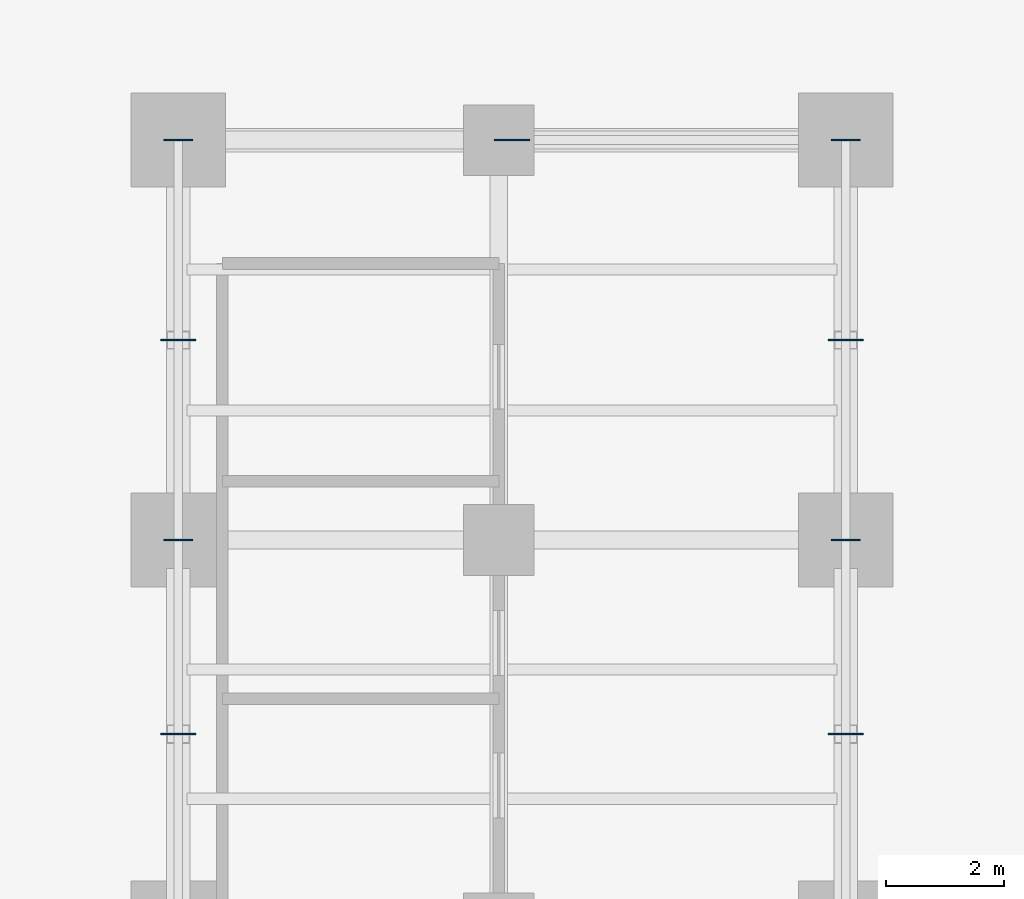
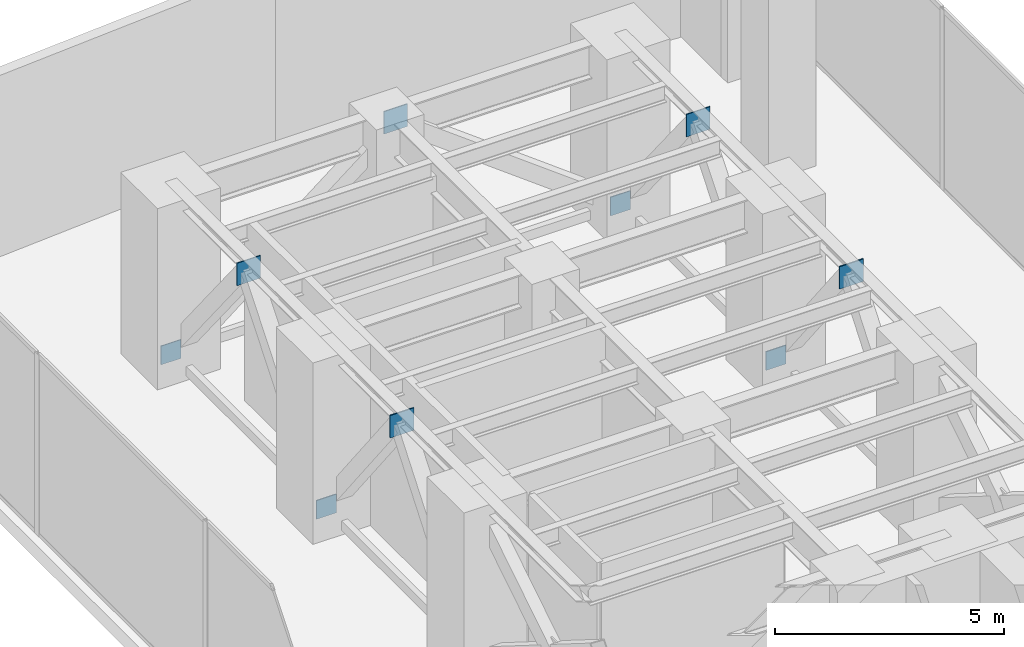
# One storey, part 31 of 36: 9 plates.
"""IFC4 building model written with IfcOpenShell, lengths in metres."""

from ifc_helpers import new_model, si_unit, direction, frame, origin, origin_with_axes, origin_2d, place, context, subcontext, project, spatial, rectangle, extrude, source, transform, mapped, material, layer, layer_set, type_object, element, save


model = new_model("IFC4")

# Units and contexts
model_context = context("Model", 3, precision=1e-05, world=origin(), true_north=direction((0.0, 1.0)))
body_context = subcontext(model_context, "Body", "Model", "MODEL_VIEW")
ifc_project = project(units=[si_unit("LENGTHUNIT", "METRE"), si_unit("AREAUNIT", "SQUARE_METRE"), si_unit("VOLUMEUNIT", "CUBIC_METRE"), si_unit("PLANEANGLEUNIT", "RADIAN"), si_unit("MASSUNIT", "GRAM", prefix="KILO")], contexts=[model_context])

# Site, building, storey
site_placement = place(None, origin())
site = spatial("IfcSite", under=ifc_project, at=site_placement, CompositionType="ELEMENT")
building_placement = place(site_placement, origin())
building = spatial("IfcBuilding", under=site, at=building_placement, Name="Kolvaren Waterfront Exchange", CompositionType="ELEMENT")
storey_placement = place(building_placement, frame((0.0, 0.0, 82.800048828125)))
storey = spatial("IfcBuildingStorey", under=building, at=storey_placement, Name="L21", CompositionType="ELEMENT", Elevation=82.800048828125)

# Plates
ifc_material_1 = material(Name="Steel S460", Category="steel")
ifc_layer_1 = layer(ifc_material_1, 0.030029296875, Name="Steel S460")
ifc_layer_set_1 = layer_set([ifc_layer_1], Name="Steel S460")
plate_type_1 = type_object("IfcPlateType", Name="STR-PL-BN1", PredefinedType="SHEET", material=ifc_layer_set_1)
shared_shape_1 = source(origin_with_axes(), body_context, "Body", "SweptSolid", [
    extrude(rectangle(XDim=0.60009765625, YDim=0.030029296875, at=origin_2d()), origin(), (0.0, 0.0, 1.0), 0.60009765625),
])
for number, where, z_axis, x_axis, name in (
    (1, (7.449951171875, 34.5, 4.18994140625), (0.0, 0.0, 1.0), (1.0, 0.0, 0.0), "L21 belt-truss chevron apex gusset BT4"),
    (2, (7.449951171875, 41.199951171875, 4.18994140625), (0.0, 0.0, 1.0), (1.0, 0.0, 0.0), "L21 belt-truss chevron apex gusset BT5"),
    (3, (18.800048828125, 34.5, 4.18994140625), (0.0, 0.0, 1.0), (1.0, 0.0, 0.0), "L21 belt-truss chevron apex gusset BT6"),
    (4, (18.800048828125, 41.199951171875, 4.18994140625), (0.0, 0.0, 1.0), (1.0, 0.0, 0.0), "L21 belt-truss chevron apex gusset BT7"),
    (5, (13.125, 44.60009765625, 4.18994140625), (0.0, 0.0, 1.0), (1.0, 0.0, 0.0), "L21 belt-truss chevron apex gusset BT8"),
):
    element("IfcPlate", number, at=place(storey_placement, frame(where, z_axis=z_axis, x_axis=x_axis)), inside=storey, type_object=plate_type_1, Name=name, PredefinedType="SHEET", context=body_context, shape_type="MappedRepresentation", body=[
        mapped(shared_shape_1, transform((0.0, 0.0, 0.0), x_axis=(1.0, 0.0, 0.0), y_axis=(0.0, 1.0, 0.0), z_axis=(0.0, 0.0, 1.0), scale=1.0)),
    ])
ifc_material_2 = material(Name="Steel S355", Category="steel")
ifc_layer_2 = layer(ifc_material_2, 0.02490234375, Name="Steel S355")
ifc_layer_set_2 = layer_set([ifc_layer_2], Name="Steel S355")
plate_type_2 = type_object("IfcPlateType", Name="STR-PL-BN2", PredefinedType="SHEET", material=ifc_layer_set_2)
shared_shape_2 = source(origin_with_axes(), body_context, "Body", "SweptSolid", [
    extrude(rectangle(XDim=0.5, YDim=0.02490234375, at=origin_2d()), origin(), (0.0, 0.0, 1.0), 0.5),
])
for number, where, z_axis, x_axis, name in (
    (6, (7.449951171875, 37.800048828125, 0.0), (0.0, 0.0, 1.0), (1.0, 0.0, 0.0), "L21 belt-truss end cap plate BT4.2"),
    (7, (7.449951171875, 44.60009765625, 0.0), (0.0, 0.0, 1.0), (1.0, 0.0, 0.0), "L21 belt-truss end cap plate BT5.2"),
    (8, (18.800048828125, 37.800048828125, 0.0), (0.0, 0.0, 1.0), (1.0, 0.0, 0.0), "L21 belt-truss end cap plate BT6.2"),
    (9, (18.800048828125, 44.60009765625, 0.0), (0.0, 0.0, 1.0), (1.0, 0.0, 0.0), "L21 belt-truss end cap plate BT7.2"),
):
    element("IfcPlate", number, at=place(storey_placement, frame(where, z_axis=z_axis, x_axis=x_axis)), inside=storey, type_object=plate_type_2, Name=name, PredefinedType="SHEET", context=body_context, shape_type="MappedRepresentation", body=[
        mapped(shared_shape_2, transform((0.0, 0.0, 0.0), x_axis=(1.0, 0.0, 0.0), y_axis=(0.0, 1.0, 0.0), z_axis=(0.0, 0.0, 1.0), scale=1.0)),
    ])

save(model, "model.ifc")
